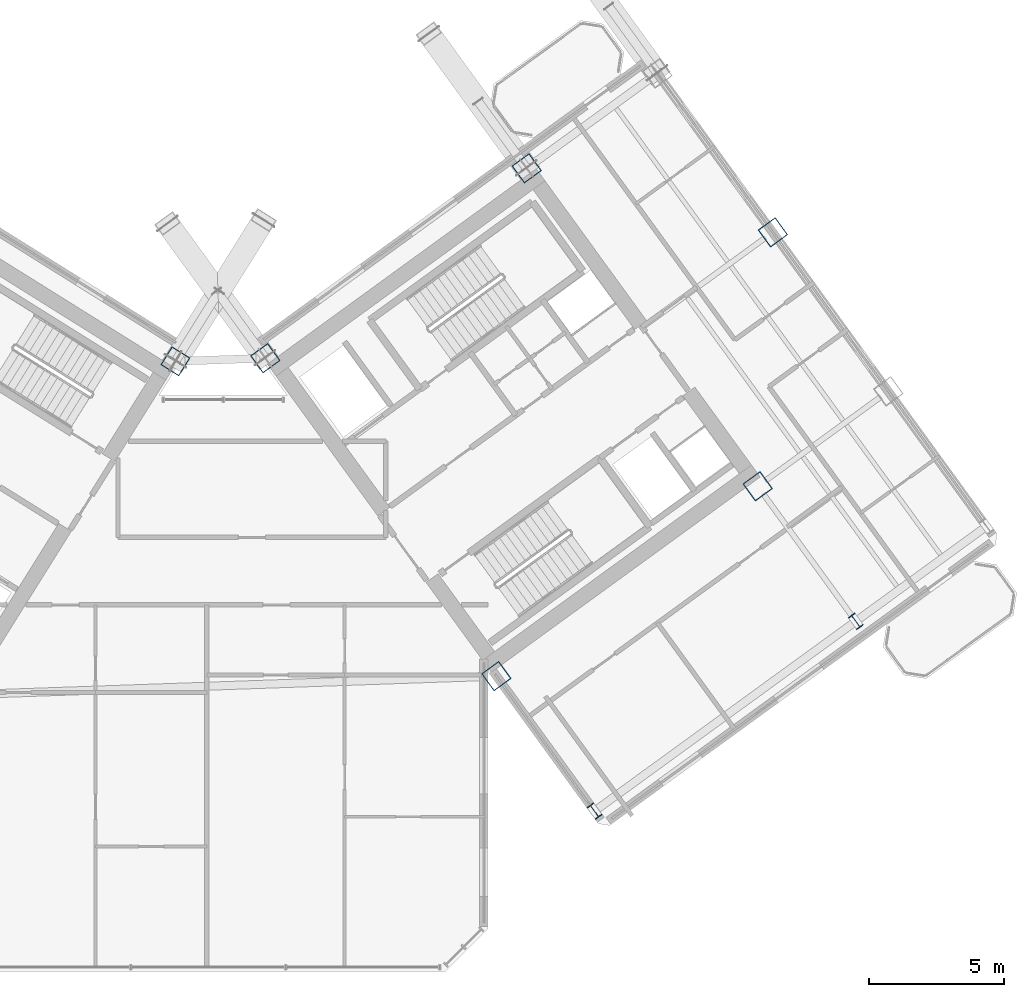
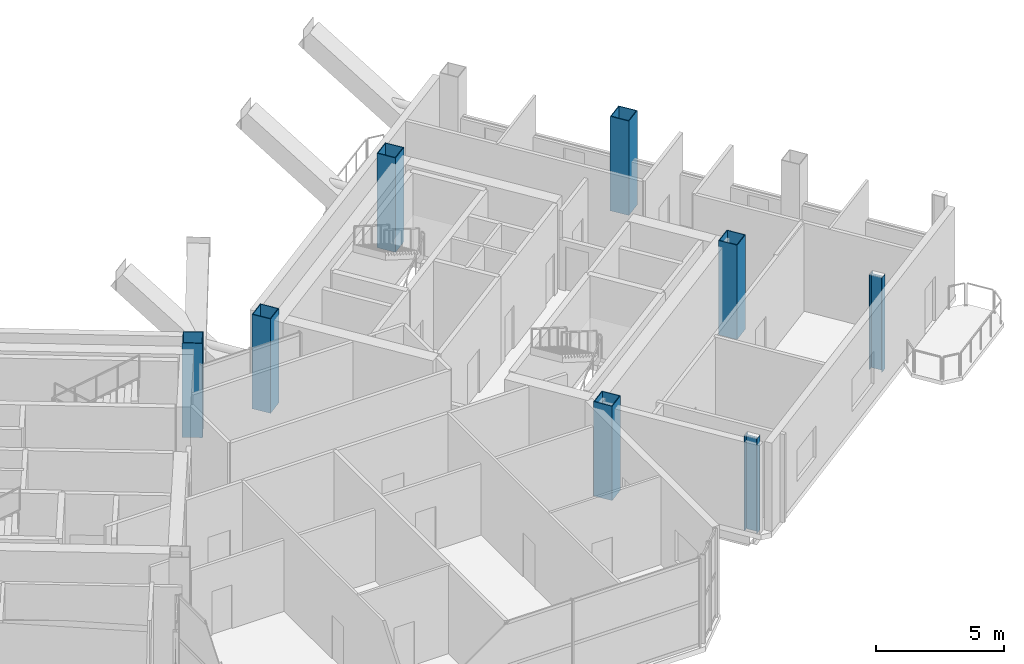
# One storey, part 2 of 34: 8 columns.
"""IFC4 building model written with IfcOpenShell, lengths in metres."""

from ifc_helpers import new_model, si_unit, direction, frame, origin, origin_2d, place, context, subcontext, project, spatial, hollow_rectangle, i_section, extrude, source, transform, mapped, material, material_profile, profile_set, type_object, element, save


model = new_model("IFC4")

# Units and contexts
model_context = context("Model", 3, precision=1e-05, world=origin(), true_north=direction((0.0, 1.0)))
body_context = subcontext(model_context, "Body", "Model", "MODEL_VIEW")
ifc_project = project(units=[si_unit("LENGTHUNIT", "METRE"), si_unit("AREAUNIT", "SQUARE_METRE"), si_unit("VOLUMEUNIT", "CUBIC_METRE"), si_unit("PLANEANGLEUNIT", "RADIAN"), si_unit("MASSUNIT", "GRAM", prefix="KILO")], contexts=[model_context])

# Site, building, storey
site_placement = place(None, origin())
site = spatial("IfcSite", under=ifc_project, at=site_placement, CompositionType="ELEMENT")
building_placement = place(site_placement, origin())
building = spatial("IfcBuilding", under=site, at=building_placement, Name="Tlacorven Tower", CompositionType="ELEMENT")
storey_placement = place(building_placement, frame((0.0, 0.0, 174.89990234375)))
storey = spatial("IfcBuildingStorey", under=building, at=storey_placement, Name="L44", CompositionType="ELEMENT", Elevation=174.89990234375)

# Columns
ifc_material = material(Name="Steel S460M", Category="steel")
ifc_material_profile_1 = material_profile(ifc_material, i_section(OverallWidth=0.300048828125, OverallDepth=0.550048828125, WebThickness=0.014892578125, FlangeThickness=0.029052734375, at=origin_2d()), Name="HEB 550")
ifc_profile_set_1 = profile_set([ifc_material_profile_1], Name="Steel S460M")
column_type_1 = type_object("IfcColumnType", Name="COL-TWR-P2", PredefinedType="COLUMN", material=ifc_profile_set_1)
shared_shape_1 = source(origin(), body_context, "Body", "SweptSolid", [
    extrude(i_section(OverallWidth=0.300048828125, OverallDepth=0.550048828125, WebThickness=0.014892578125, FlangeThickness=0.029052734375, at=origin_2d()), origin(), (0.0, 0.0, 1.0), 4.5),
])
for number, where, z_axis, x_axis, name in (
    (1, (56.349609375, 7.757568359375, 0.0), (0.0, 0.0, 1.0), (0.809016994375, 0.587785252292, 0.0), "L44 column COL-L44-E1-1"),
    (2, (66.057861328125, 14.81103515625, 0.0), (0.0, 0.0, 1.0), (0.809016994375, 0.587785252292, 0.0), "L44 column COL-L44-E3-1"),
):
    element("IfcColumn", number, at=place(storey_placement, frame(where, z_axis=z_axis, x_axis=x_axis)), inside=storey, type_object=column_type_1, Name=name, PredefinedType="COLUMN", context=body_context, shape_type="MappedRepresentation", body=[
        mapped(shared_shape_1, transform((0.0, 0.0, 0.0), scale=1.0)),
    ])
ifc_material_profile_2 = material_profile(ifc_material, hollow_rectangle(XDim=0.800048828125, YDim=0.800048828125, WallThickness=0.031982421875, at=origin_2d()), Name="BOX 800X800X32")
ifc_profile_set_2 = profile_set([ifc_material_profile_2], Name="Steel S460M")
column_type_2 = type_object("IfcColumnType", Name="COL-TWR-S3", PredefinedType="COLUMN", material=ifc_profile_set_2)
shared_shape_2 = source(origin(), body_context, "Body", "SweptSolid", [
    extrude(hollow_rectangle(XDim=0.800048828125, YDim=0.800048828125, WallThickness=0.031982421875, at=origin_2d()), origin(), (0.0, 0.0, 1.0), 4.5),
])
for number, where, z_axis, x_axis, name in (
    (3, (40.782958984375, 24.468505859375, 0.0), (0.0, 0.0, 1.0), (-0.848048096156, 0.529919264233, 0.0), "L44 column COL-L44-W1-1"),
    (4, (52.705322265625, 12.7734375, 0.0), (0.0, 0.0, 1.0), (0.809016994375, 0.587785252292, 0.0), "L44 column COL-L44-E1-2"),
    (5, (44.123779296875, 24.5849609375, 0.0), (0.0, 0.0, 1.0), (0.809016994375, 0.587785252292, 0.0), "L44 column COL-L44-E1-4"),
    (6, (62.41357421875, 19.826904296875, 0.0), (0.0, 0.0, 1.0), (0.809016994375, 0.587785252292, 0.0), "L44 column COL-L44-E3-2"),
    (7, (53.83203125, 31.638427734375, 0.0), (0.0, 0.0, 1.0), (0.809016994375, 0.587785252292, 0.0), "L44 column COL-L44-E3-4"),
    (8, (62.976806640625, 29.25927734375, 0.0), (0.0, 0.0, 1.0), (0.809016994375, 0.587785252292, 0.0), "L44 column COL-L44-E4-3"),
):
    element("IfcColumn", number, at=place(storey_placement, frame(where, z_axis=z_axis, x_axis=x_axis)), inside=storey, type_object=column_type_2, Name=name, PredefinedType="COLUMN", context=body_context, shape_type="MappedRepresentation", body=[
        mapped(shared_shape_2, transform((0.0, 0.0, 0.0), scale=1.0)),
    ])

save(model, "model.ifc")
